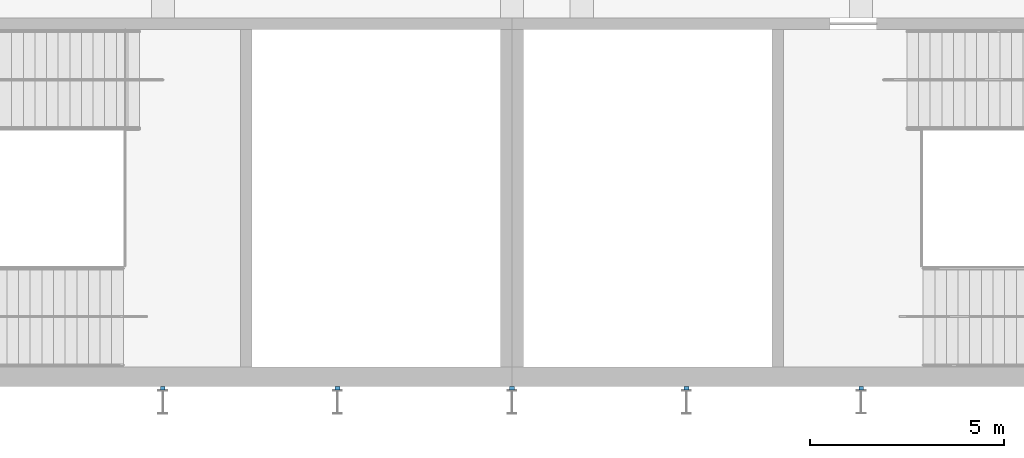
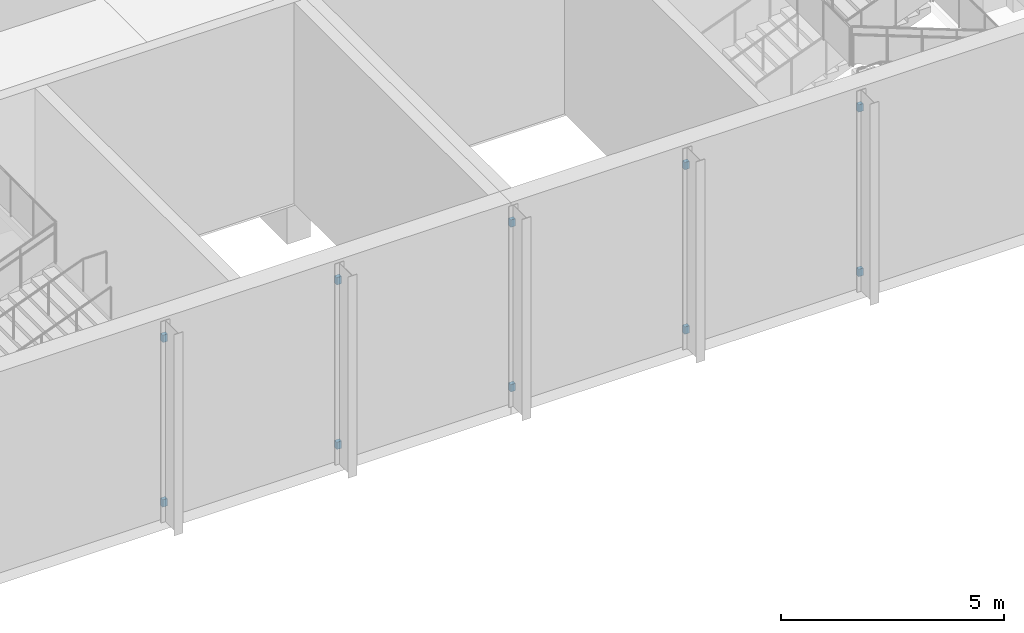
# One storey, part 51 of 84: 10 discrete accessories.
"""IFC4 building model written with IfcOpenShell, lengths in metres."""

from ifc_helpers import new_model, si_unit, direction, frame, origin, origin_2d, place, context, subcontext, project, spatial, rectangle, extrude, material, type_object, element, save


model = new_model("IFC4")

# Units and contexts
model_context = context("Model", 3, precision=1e-05, world=origin(), true_north=direction((0.0, 1.0)))
body_context = subcontext(model_context, "Body", "Model", "MODEL_VIEW")
ifc_project = project(units=[si_unit("LENGTHUNIT", "METRE"), si_unit("AREAUNIT", "SQUARE_METRE"), si_unit("VOLUMEUNIT", "CUBIC_METRE"), si_unit("PLANEANGLEUNIT", "RADIAN"), si_unit("MASSUNIT", "GRAM", prefix="KILO")], contexts=[model_context])

# Site, building, storey
site_placement = place(None, origin())
site = spatial("IfcSite", under=ifc_project, at=site_placement, CompositionType="ELEMENT")
building_placement = place(site_placement, origin())
building = spatial("IfcBuilding", under=site, at=building_placement, Name="Silverbay Arena", CompositionType="ELEMENT")
storey_placement = place(building_placement, frame((0.0, 0.0, 28.0)))
storey = spatial("IfcBuildingStorey", under=building, at=storey_placement, Name="L04", CompositionType="ELEMENT", Elevation=28.0)

# Discrete accessories
ifc_material = material(Name="Steel S355", Category="steel")
discrete_accessory_type = type_object("IfcDiscreteAccessoryType", Name="Steel bracket plate", PredefinedType="BRACKET", material=ifc_material)
for number, where, z_axis, x_axis, name in (
    (1, (153.0, 17.449951171875, 0.39990234375), (0.0, 0.0, 1.0), (1.0, 0.0, 0.0), "Fin bracket"),
    (2, (153.0, 17.449951171875, 4.89990234375), (0.0, 0.0, 1.0), (1.0, 0.0, 0.0), "Fin bracket"),
    (3, (157.5, 17.449951171875, 0.39990234375), (0.0, 0.0, 1.0), (1.0, 0.0, 0.0), "Fin bracket"),
    (4, (157.5, 17.449951171875, 4.89990234375), (0.0, 0.0, 1.0), (1.0, 0.0, 0.0), "Fin bracket"),
    (5, (162.0, 17.449951171875, 0.39990234375), (0.0, 0.0, 1.0), (1.0, 0.0, 0.0), "Fin bracket"),
    (6, (162.0, 17.449951171875, 4.89990234375), (0.0, 0.0, 1.0), (1.0, 0.0, 0.0), "Fin bracket"),
    (7, (166.5, 17.449951171875, 0.39990234375), (0.0, 0.0, 1.0), (1.0, 0.0, 0.0), "Fin bracket"),
    (8, (166.5, 17.449951171875, 4.89990234375), (0.0, 0.0, 1.0), (1.0, 0.0, 0.0), "Fin bracket"),
    (9, (171.0, 17.449951171875, 0.39990234375), (0.0, 0.0, 1.0), (1.0, 0.0, 0.0), "Fin bracket"),
    (10, (171.0, 17.449951171875, 4.89990234375), (0.0, 0.0, 1.0), (1.0, 0.0, 0.0), "Fin bracket"),
):
    element("IfcDiscreteAccessory", number, at=place(storey_placement, frame(where, z_axis=z_axis, x_axis=x_axis)), inside=storey, type_object=discrete_accessory_type, Name=name, PredefinedType="BRACKET", context=body_context, shape_type="SweptSolid", body=[
        extrude(rectangle(XDim=0.1201171875, YDim=0.10009765625, at=origin_2d()), origin(), (0.0, 0.0, 1.0), 0.199951171875),
    ])

save(model, "model.ifc")
